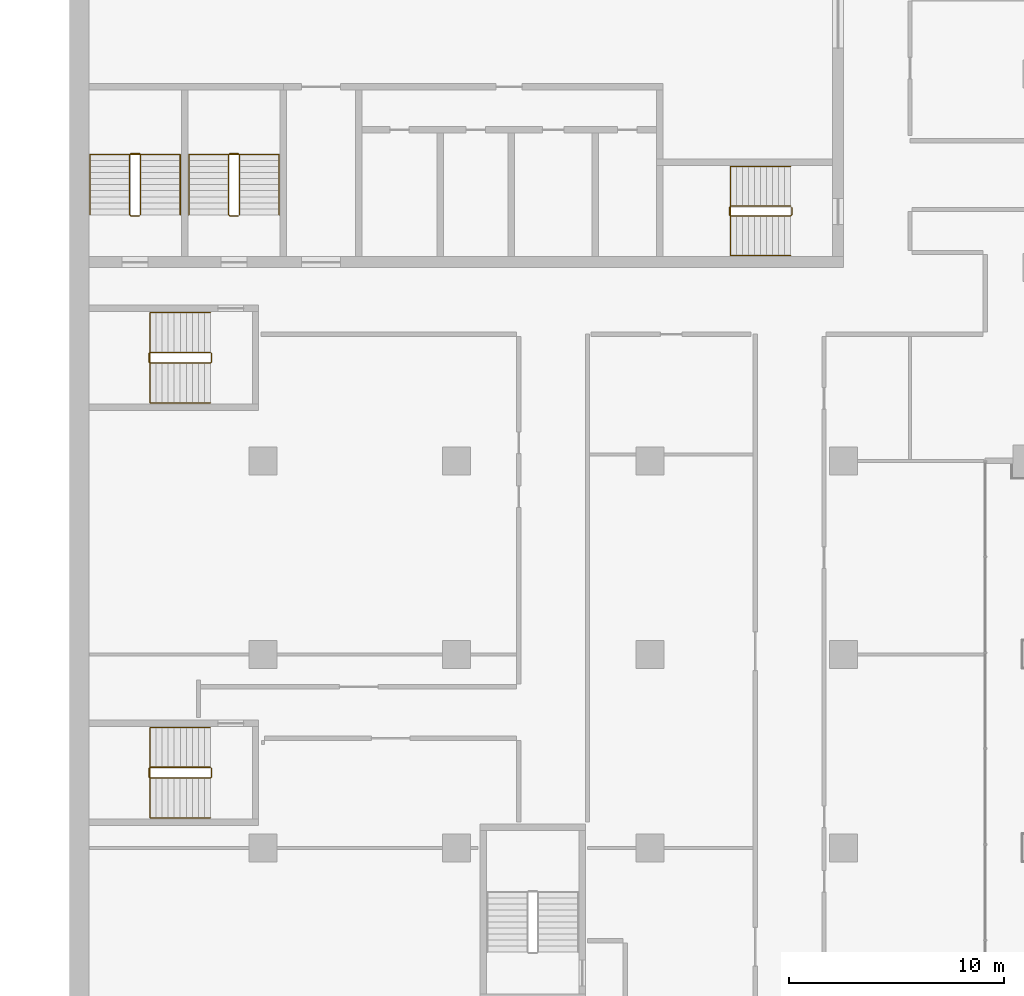
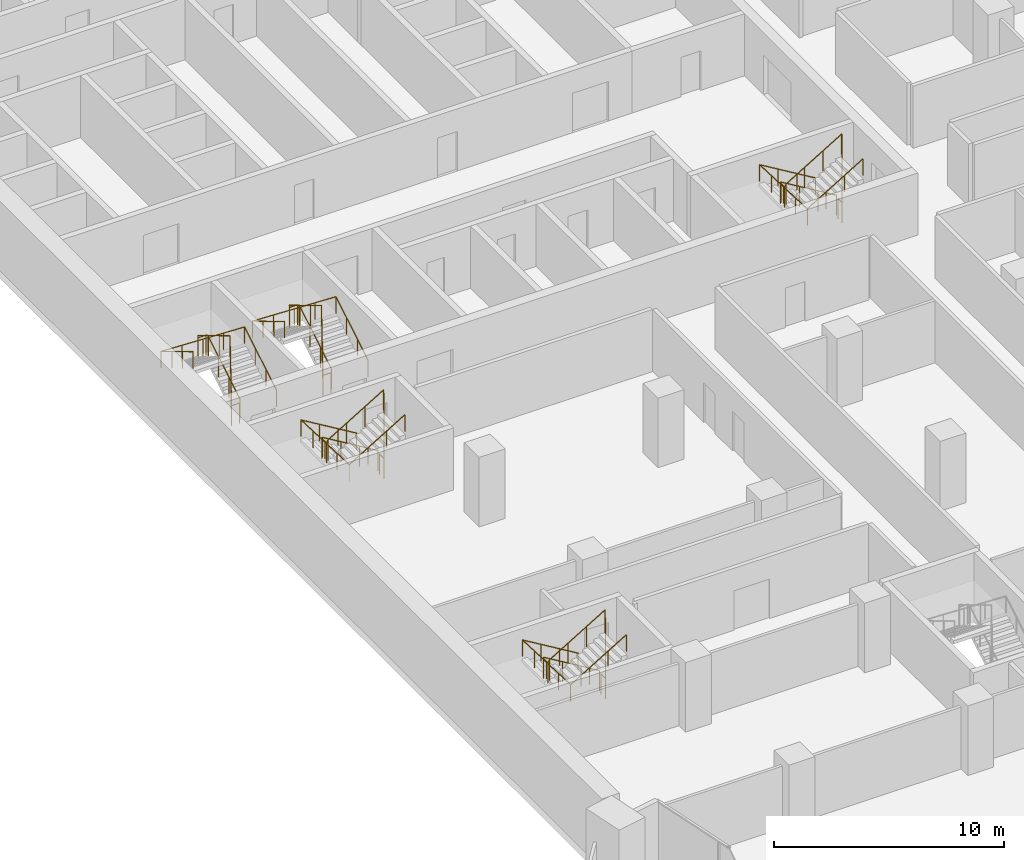
# One storey, part 21 of 23: 10 railings.
"""IFC4 building model written with IfcOpenShell, lengths in metres."""

import ifcopenshell
import ifcopenshell.guid

model = None  # the IFC model being written
_history = None  # IfcOwnerHistory: only IFC2X3 demands one
_inside = {}  # id of a spatial element -> (the spatial element, [elements in it])
_under = {}  # id of a project, library or spatial element -> (it, [spatial elements below it])
_declared = {}  # id of a project -> (the project, [libraries it declares])
_typed = {}  # id of a type object -> (the type object, [elements of that type])
_made_of = {}  # id of a material, layer set ... -> (it, [elements and type objects made of it])


def new_model(schema):
    """Start an empty IFC model of exactly this schema.

    Asked for "IFC4X3", IfcOpenShell would pick the latest addendum, in which some entities
    have other attributes; the version numbers below select the first issue.
    IFC2X3 requires an IfcOwnerHistory on every rooted entity: one is made here for all.
    """
    global model, _history
    if schema == "IFC4X3":
        model = ifcopenshell.file(schema_version=(4, 3, 0, 0))
    else:
        model = ifcopenshell.file(schema=schema)
    _inside.clear()
    _under.clear()
    _declared.clear()
    _typed.clear()
    _made_of.clear()
    _history = None
    if model.schema == "IFC2X3":
        org = make("IfcOrganization", Name="unknown")
        user = make(
            "IfcPersonAndOrganization",
            ThePerson=make("IfcPerson", FamilyName="unknown"),
            TheOrganization=org,
        )
        app = make(
            "IfcApplication",
            ApplicationDeveloper=org,
            Version="unknown",
            ApplicationFullName="unknown",
            ApplicationIdentifier="unknown",
        )
        _history = make(
            "IfcOwnerHistory",
            OwningUser=user,
            OwningApplication=app,
            ChangeAction="ADDED",
            CreationDate=0,
        )
    return model


def make(cls, **values):
    """One entity of the class cls with the attributes given. An attribute that is None is left unset."""
    return model.create_entity(
        cls, **{name: value for name, value in values.items() if value is not None}
    )


def rooted(cls, **values):
    """An entity with a GlobalId (a new one), such as an element, a storey or a relation."""
    return make(cls, GlobalId=ifcopenshell.guid.new(), OwnerHistory=_history, **values)


def si_unit(unit_type, name, prefix=None):
    """IfcSIUnit, for example si_unit("LENGTHUNIT", "METRE", prefix="MILLI")."""
    return make("IfcSIUnit", UnitType=unit_type, Prefix=prefix, Name=name)


def assignment(units):
    """IfcUnitAssignment: the units of a project."""
    return None if units is None else make("IfcUnitAssignment", Units=units)


def point(xyz):
    """IfcCartesianPoint."""
    return None if xyz is None else make("IfcCartesianPoint", Coordinates=xyz)


def direction(xyz):
    """IfcDirection."""
    return None if xyz is None else make("IfcDirection", DirectionRatios=xyz)


def frame(location, z_axis=None, x_axis=None):
    """IfcAxis2Placement3D, a coordinate frame: its origin and axes. An axis left out is left unset."""
    return make(
        "IfcAxis2Placement3D",
        Location=point(location),
        Axis=direction(z_axis),
        RefDirection=direction(x_axis),
    )


def frame_2d(location, x_axis=None):
    """IfcAxis2Placement2D, a coordinate frame in the plane: its origin and x axis."""
    return make(
        "IfcAxis2Placement2D", Location=point(location), RefDirection=direction(x_axis)
    )


def origin():
    """The frame at (0, 0, 0) with its axes left unset."""
    return frame((0.0, 0.0, 0.0))


def origin_2d():
    """The frame at (0, 0) in the plane with its x axis left unset."""
    return frame_2d((0.0, 0.0))


def place(relative_to, where):
    """IfcLocalPlacement: puts the frame where relative to a parent placement (None: the world)."""
    return make(
        "IfcLocalPlacement", PlacementRelTo=relative_to, RelativePlacement=where
    )


def context(
    kind, dimensions, precision=None, world=None, true_north=None, identifier=None
):
    """IfcGeometricRepresentationContext, for example the 3D "Model" context."""
    return make(
        "IfcGeometricRepresentationContext",
        ContextIdentifier=identifier,
        ContextType=kind,
        CoordinateSpaceDimension=dimensions,
        Precision=precision,
        WorldCoordinateSystem=world,
        TrueNorth=true_north,
    )


def subcontext(parent, identifier, kind, view, scale=None):
    """IfcGeometricRepresentationSubContext, for example "Body" below "Model"."""
    return make(
        "IfcGeometricRepresentationSubContext",
        ContextIdentifier=identifier,
        ContextType=kind,
        ParentContext=parent,
        TargetScale=scale,
        TargetView=view,
    )


def project(units=None, contexts=None):
    """IfcProject with its units and contexts."""
    return rooted(
        "IfcProject",
        Name="project",
        RepresentationContexts=contexts,
        UnitsInContext=assignment(units),
    )


def spatial(cls, under=None, at=None, **own):
    """A site, building, storey or space (cls), placed at a placement, below another one or the project."""
    s = rooted(cls, ObjectPlacement=at, **own)
    if under is not None:
        _under.setdefault(under.id(), (under, []))[1].append(s)
    return s


def profile(cls, at=None, kind="AREA", **sizes):
    """A parametric profile (cls). Its sizes go by their IFC names, for example OverallWidth=200.0."""
    return make(cls, ProfileType=kind, Position=at, **sizes)


def circle(**sizes):
    """IfcCircleProfileDef."""
    return profile("IfcCircleProfileDef", **sizes)


def extrude(swept, where, along, depth):
    """IfcExtrudedAreaSolid: the profile swept, set in the frame where, extruded along a direction by depth."""
    return make(
        "IfcExtrudedAreaSolid",
        SweptArea=swept,
        Position=where,
        ExtrudedDirection=direction(along),
        Depth=depth,
    )


def shape(context_of_items, identifier, shape_type, items):
    """IfcShapeRepresentation: the items that make up one representation, for example the "Body"."""
    return make(
        "IfcShapeRepresentation",
        ContextOfItems=context_of_items,
        RepresentationIdentifier=identifier,
        RepresentationType=shape_type,
        Items=items,
    )


def material(Name=None, Category=None):
    """IfcMaterial."""
    return make("IfcMaterial", Name=Name, Category=Category)


def made_of(thing, what):
    """Note that an element or type object is made of a material, layer set ...; save() writes the relation."""
    if what is not None:
        _made_of.setdefault(what.id(), (what, []))[1].append(thing)
    return thing


def type_object(cls, material=None, **own):
    """A type object (cls), such as IfcWallType, which elements share."""
    return made_of(rooted(cls, **own), material)


def element(
    cls,
    number,
    at=None,
    inside=None,
    cuts=None,
    type_object=None,
    material=None,
    context=None,
    identifier="Body",
    shape_type=None,
    held_by="IfcProductDefinitionShape",
    body=None,
    shapes=None,
    **own,
):
    """One element of the class cls, such as IfcWall. Its Tag is "e" and its number.

    at: its placement. inside: the storey or other place that contains it. cuts: it is an
    opening in that element (IfcRelVoidsElement). A single representation is given by context,
    identifier, shape_type and body (its items); several are given by shapes. held_by: the class
    of the entity that holds the representations. save() writes the other relations.
    """
    e = rooted(cls, Tag="e%d" % number, ObjectPlacement=at, **own)
    if body is not None:
        shapes = [shape(context, identifier, shape_type, body)]
    if shapes is not None:
        e.Representation = make(held_by, Representations=shapes)
    if inside is not None:
        _inside.setdefault(inside.id(), (inside, []))[1].append(e)
    if cuts is not None:
        rooted(
            "IfcRelVoidsElement", RelatingBuildingElement=cuts, RelatedOpeningElement=e
        )
    if type_object is not None:
        _typed.setdefault(type_object.id(), (type_object, []))[1].append(e)
    return made_of(e, material)


def aggregate(whole, parts):
    """IfcRelAggregates: a whole, such as a stair, and the parts it consists of."""
    return rooted("IfcRelAggregates", RelatingObject=whole, RelatedObjects=parts)


def save(model, path):
    """Write the relations noted so far, then the file.

    IfcRelAggregates (storeys below a building ...), IfcRelContainedInSpatialStructure (elements
    in a storey), IfcRelDefinesByType, IfcRelAssociatesMaterial and IfcRelDeclares: one each for
    every whole, place, type object, material and project.
    """
    for whole, parts in _under.values():
        aggregate(whole, parts)
    for where, things in _inside.values():
        rooted(
            "IfcRelContainedInSpatialStructure",
            RelatedElements=things,
            RelatingStructure=where,
        )
    for kind, things in _typed.values():
        rooted("IfcRelDefinesByType", RelatedObjects=things, RelatingType=kind)
    for what, things in _made_of.values():
        rooted("IfcRelAssociatesMaterial", RelatedObjects=things, RelatingMaterial=what)
    for by, libraries in _declared.values():
        rooted("IfcRelDeclares", RelatingContext=by, RelatedDefinitions=libraries)
    model.write(path)


model = new_model("IFC4")

# Units and contexts
model_context = context("Model", 3, precision=1e-05, world=origin(), true_north=direction((0.0, 1.0)))
body_context = subcontext(model_context, "Body", "Model", "MODEL_VIEW")
ifc_project = project(units=[si_unit("LENGTHUNIT", "METRE"), si_unit("AREAUNIT", "SQUARE_METRE"), si_unit("VOLUMEUNIT", "CUBIC_METRE"), si_unit("PLANEANGLEUNIT", "RADIAN"), si_unit("MASSUNIT", "GRAM", prefix="KILO")], contexts=[model_context])

# Site, building, storey
site_placement = place(None, origin())
site = spatial("IfcSite", under=ifc_project, at=site_placement, CompositionType="ELEMENT")
building_placement = place(site_placement, origin())
building = spatial("IfcBuilding", under=site, at=building_placement, Name="Hunhe Ridgeline Campus", CompositionType="ELEMENT")
storey_placement = place(building_placement, frame((0.0, 0.0, 103.300048828125)))
storey = spatial("IfcBuildingStorey", under=building, at=storey_placement, Name="L25", CompositionType="ELEMENT", Elevation=103.300048828125)

# Railings
ifc_material_1 = material(Name="Stainless steel balustrade", Category="steel")
railing_type_1 = type_object("IfcRailingType", Name="Stair guard 1100 stainless", PredefinedType="GUARDRAIL", material=ifc_material_1)
railing_1_placement = place(storey_placement, frame((33.550048828125, 65.85009765625, 0.168212890625)))
element("IfcRailing", 1, at=railing_1_placement, inside=storey, type_object=railing_type_1, Name="L25 stair S2 guard", PredefinedType="GUARDRAIL", context=body_context, shape_type="SweptSolid", body=[
    extrude(circle(Radius=0.02392578125, at=origin_2d()), frame((0.0, 0.0, 1.076171875), z_axis=(-0.857275202839, 0.0, 0.514858452973), x_axis=(0.0, -1.0, 0.0)), (0.0, 0.0, 1.0), 3.26611328125),
    extrude(circle(Radius=0.02392578125, at=origin_2d()), frame((-2.800048828125, 0.0, 2.7578125), z_axis=(-0.707106781187, -0.707106781187, 0.0), x_axis=(0.707106781187, -0.707106781187, 0.0)), (0.0, 0.0, 1.0), 0.07080078125),
    extrude(circle(Radius=0.02392578125, at=origin_2d()), frame((-2.85009765625, -0.050048828125, 2.7578125), z_axis=(0.0, -1.0, 0.0), x_axis=(1.0, 0.0, 0.0)), (0.0, 0.0, 1.0), 0.35009765625),
    extrude(circle(Radius=0.02392578125, at=origin_2d()), frame((-2.85009765625, -0.400146484375, 2.7578125), z_axis=(0.274243871929, -0.274243871929, 0.92172696468), x_axis=(0.707106781187, 0.707106781187, 0.0)), (0.0, 0.0, 1.0), 0.1826171875),
    extrude(circle(Radius=0.02392578125, at=origin_2d()), frame((-2.800048828125, -0.4501953125, 2.92578125), z_axis=(0.857242210791, 0.0, 0.514913383045), x_axis=(0.0, 1.0, 0.0)), (0.0, 0.0, 1.0), 3.266357421875),
    extrude(circle(Radius=0.02392578125, at=origin_2d()), frame((0.0, -0.4501953125, 4.60791015625), z_axis=(0.013524414389, 0.013524414389, -0.999817073484), x_axis=(-0.707106781187, 0.707106781187, 0.0)), (0.0, 0.0, 1.0), 3.70068359375),
    extrude(circle(Radius=0.02392578125, at=origin_2d()), frame((0.050048828125, -0.400146484375, 0.90771484375), z_axis=(0.0, 1.0, 0.0), x_axis=(-1.0, 0.0, 0.0)), (0.0, 0.0, 1.0), 0.35009765625),
    extrude(circle(Radius=0.02099609375, at=origin_2d()), origin(), (0.0, 0.0, 1.0), 1.052001953125),
    extrude(circle(Radius=0.02099609375, at=origin_2d()), frame((-0.933349609375, 0.0, 0.560546875)), (0.0, 0.0, 1.0), 1.052001953125),
    extrude(circle(Radius=0.02099609375, at=origin_2d()), frame((-1.86669921875, 0.0, 1.12109375)), (0.0, 0.0, 1.0), 1.052001953125),
    extrude(circle(Radius=0.02099609375, at=origin_2d()), frame((-2.800048828125, 0.0, 1.681640625)), (0.0, 0.0, 1.0), 1.052001953125),
    extrude(circle(Radius=0.02099609375, at=origin_2d()), frame((-2.85009765625, -0.050048828125, 1.681640625)), (0.0, 0.0, 1.0), 1.052001953125),
    extrude(circle(Radius=0.02099609375, at=origin_2d()), frame((-2.85009765625, -0.400146484375, 1.681640625)), (0.0, 0.0, 1.0), 1.052001953125),
    extrude(circle(Radius=0.02099609375, at=origin_2d()), frame((-2.800048828125, -0.4501953125, 1.849853515625)), (0.0, 0.0, 1.0), 1.052001953125),
    extrude(circle(Radius=0.02099609375, at=origin_2d()), frame((-1.86669921875, -0.4501953125, 2.410400390625)), (0.0, 0.0, 1.0), 1.052001953125),
    extrude(circle(Radius=0.02099609375, at=origin_2d()), frame((-0.933349609375, -0.4501953125, 2.97119140625)), (0.0, 0.0, 1.0), 1.052001953125),
    extrude(circle(Radius=0.02099609375, at=origin_2d()), frame((0.0, -0.4501953125, 3.53173828125)), (0.0, 0.0, 1.0), 1.052001953125),
    extrude(circle(Radius=0.02099609375, at=origin_2d()), frame((0.012451171875, -0.437744140625, 2.606689453125)), (0.0, 0.0, 1.0), 1.052001953125),
    extrude(circle(Radius=0.02099609375, at=origin_2d()), frame((0.02490234375, -0.42529296875, 1.681640625)), (0.0, 0.0, 1.0), 1.052001953125),
    extrude(circle(Radius=0.02099609375, at=origin_2d()), frame((0.03759765625, -0.41259765625, 0.7568359375)), (0.0, 0.0, 1.0), 1.052001953125),
    extrude(circle(Radius=0.02099609375, at=origin_2d()), frame((0.050048828125, -0.400146484375, -0.168212890625)), (0.0, 0.0, 1.0), 1.052001953125),
    extrude(circle(Radius=0.02099609375, at=origin_2d()), frame((0.050048828125, -0.050048828125, -0.168212890625)), (0.0, 0.0, 1.0), 1.052001953125),
])
railing_2_placement = place(storey_placement, frame((3.300048828125, 65.449951171875, 0.168212890625)))
element("IfcRailing", 2, at=railing_2_placement, inside=storey, type_object=railing_type_1, Name="L25 stair S3 guard", PredefinedType="GUARDRAIL", context=body_context, shape_type="SweptSolid", body=[
    extrude(circle(Radius=0.02392578125, at=origin_2d()), frame((0.0, 0.0, 1.076171875), z_axis=(0.0, 0.857275202839, 0.514858452973), x_axis=(-1.0, 0.0, 0.0)), (0.0, 0.0, 1.0), 3.26611328125),
    extrude(circle(Radius=0.02392578125, at=origin_2d()), frame((0.0, 2.800048828125, 2.7578125), z_axis=(-0.707106781187, 0.707106781187, 0.0), x_axis=(-0.707106781187, -0.707106781187, 0.0)), (0.0, 0.0, 1.0), 0.07080078125),
    extrude(circle(Radius=0.02392578125, at=origin_2d()), frame((-0.050048828125, 2.85009765625, 2.7578125), z_axis=(-1.0, 0.0, 0.0), x_axis=(0.0, -1.0, 0.0)), (0.0, 0.0, 1.0), 0.39990234375),
    extrude(circle(Radius=0.02392578125, at=origin_2d()), frame((-0.449951171875, 2.85009765625, 2.7578125), z_axis=(-0.274243871929, -0.274243871929, 0.92172696468), x_axis=(0.707106781187, -0.707106781187, 0.0)), (0.0, 0.0, 1.0), 0.1826171875),
    extrude(circle(Radius=0.02392578125, at=origin_2d()), frame((-0.5, 2.800048828125, 2.92578125), z_axis=(0.0, -0.857242210791, 0.514913383045), x_axis=(1.0, 0.0, 0.0)), (0.0, 0.0, 1.0), 3.266357421875),
    extrude(circle(Radius=0.02392578125, at=origin_2d()), frame((-0.5, 0.0, 4.60791015625), z_axis=(0.013524414389, -0.013524414389, -0.999817073484), x_axis=(0.707106781187, 0.707106781187, 0.0)), (0.0, 0.0, 1.0), 3.70068359375),
    extrude(circle(Radius=0.02392578125, at=origin_2d()), frame((-0.449951171875, -0.050048828125, 0.90771484375), z_axis=(1.0, 0.0, 0.0), x_axis=(0.0, 1.0, 0.0)), (0.0, 0.0, 1.0), 0.39990234375),
    extrude(circle(Radius=0.02099609375, at=origin_2d()), origin(), (0.0, 0.0, 1.0), 1.052001953125),
    extrude(circle(Radius=0.02099609375, at=origin_2d()), frame((0.0, 0.933349609375, 0.560546875)), (0.0, 0.0, 1.0), 1.052001953125),
    extrude(circle(Radius=0.02099609375, at=origin_2d()), frame((0.0, 1.86669921875, 1.12109375)), (0.0, 0.0, 1.0), 1.052001953125),
    extrude(circle(Radius=0.02099609375, at=origin_2d()), frame((0.0, 2.800048828125, 1.681640625)), (0.0, 0.0, 1.0), 1.052001953125),
    extrude(circle(Radius=0.02099609375, at=origin_2d()), frame((-0.050048828125, 2.85009765625, 1.681640625)), (0.0, 0.0, 1.0), 1.052001953125),
    extrude(circle(Radius=0.02099609375, at=origin_2d()), frame((-0.449951171875, 2.85009765625, 1.681640625)), (0.0, 0.0, 1.0), 1.052001953125),
    extrude(circle(Radius=0.02099609375, at=origin_2d()), frame((-0.5, 2.800048828125, 1.849853515625)), (0.0, 0.0, 1.0), 1.052001953125),
    extrude(circle(Radius=0.02099609375, at=origin_2d()), frame((-0.5, 1.86669921875, 2.410400390625)), (0.0, 0.0, 1.0), 1.052001953125),
    extrude(circle(Radius=0.02099609375, at=origin_2d()), frame((-0.5, 0.933349609375, 2.97119140625)), (0.0, 0.0, 1.0), 1.052001953125),
    extrude(circle(Radius=0.02099609375, at=origin_2d()), frame((-0.5, 0.0, 3.53173828125)), (0.0, 0.0, 1.0), 1.052001953125),
    extrude(circle(Radius=0.02099609375, at=origin_2d()), frame((-0.487548828125, -0.012451171875, 2.606689453125)), (0.0, 0.0, 1.0), 1.052001953125),
    extrude(circle(Radius=0.02099609375, at=origin_2d()), frame((-0.47509765625, -0.02490234375, 1.681640625)), (0.0, 0.0, 1.0), 1.052001953125),
    extrude(circle(Radius=0.02099609375, at=origin_2d()), frame((-0.46240234375, -0.03759765625, 0.7568359375)), (0.0, 0.0, 1.0), 1.052001953125),
    extrude(circle(Radius=0.02099609375, at=origin_2d()), frame((-0.449951171875, -0.050048828125, -0.168212890625)), (0.0, 0.0, 1.0), 1.052001953125),
    extrude(circle(Radius=0.02099609375, at=origin_2d()), frame((-0.050048828125, -0.050048828125, -0.168212890625)), (0.0, 0.0, 1.0), 1.052001953125),
])
railing_3_placement = place(storey_placement, frame((7.89990234375, 65.449951171875, 0.168212890625)))
element("IfcRailing", 3, at=railing_3_placement, inside=storey, type_object=railing_type_1, Name="L25 stair S4 guard", PredefinedType="GUARDRAIL", context=body_context, shape_type="SweptSolid", body=[
    extrude(circle(Radius=0.02392578125, at=origin_2d()), frame((0.0, 0.0, 1.076171875), z_axis=(0.0, 0.857275202839, 0.514858452973), x_axis=(-1.0, 0.0, 0.0)), (0.0, 0.0, 1.0), 3.26611328125),
    extrude(circle(Radius=0.02392578125, at=origin_2d()), frame((0.0, 2.800048828125, 2.7578125), z_axis=(-0.705375805398, 0.708833529934, 0.0), x_axis=(-0.708833529934, -0.705375805398, 0.0)), (0.0, 0.0, 1.0), 0.070556640625),
    extrude(circle(Radius=0.02392578125, at=origin_2d()), frame((-0.0498046875, 2.85009765625, 2.7578125), z_axis=(-1.0, 0.0, 0.0), x_axis=(0.0, -1.0, 0.0)), (0.0, 0.0, 1.0), 0.400146484375),
    extrude(circle(Radius=0.02392578125, at=origin_2d()), frame((-0.449951171875, 2.85009765625, 2.7578125), z_axis=(-0.274243871929, -0.274243871929, 0.92172696468), x_axis=(0.707106781187, -0.707106781187, 0.0)), (0.0, 0.0, 1.0), 0.1826171875),
    extrude(circle(Radius=0.02392578125, at=origin_2d()), frame((-0.5, 2.800048828125, 2.92578125), z_axis=(0.0, -0.857242210791, 0.514913383045), x_axis=(1.0, 0.0, 0.0)), (0.0, 0.0, 1.0), 3.266357421875),
    extrude(circle(Radius=0.02392578125, at=origin_2d()), frame((-0.5, 0.0, 4.60791015625), z_axis=(0.013524414389, -0.013524414389, -0.999817073484), x_axis=(0.707106781187, 0.707106781187, 0.0)), (0.0, 0.0, 1.0), 3.70068359375),
    extrude(circle(Radius=0.02392578125, at=origin_2d()), frame((-0.449951171875, -0.050048828125, 0.90771484375), z_axis=(1.0, 0.0, 0.0), x_axis=(0.0, 1.0, 0.0)), (0.0, 0.0, 1.0), 0.400146484375),
    extrude(circle(Radius=0.02099609375, at=origin_2d()), origin(), (0.0, 0.0, 1.0), 1.052001953125),
    extrude(circle(Radius=0.02099609375, at=origin_2d()), frame((0.0, 0.933349609375, 0.560546875)), (0.0, 0.0, 1.0), 1.052001953125),
    extrude(circle(Radius=0.02099609375, at=origin_2d()), frame((0.0, 1.86669921875, 1.12109375)), (0.0, 0.0, 1.0), 1.052001953125),
    extrude(circle(Radius=0.02099609375, at=origin_2d()), frame((0.0, 2.800048828125, 1.681640625)), (0.0, 0.0, 1.0), 1.052001953125),
    extrude(circle(Radius=0.02099609375, at=origin_2d()), frame((-0.0498046875, 2.85009765625, 1.681640625)), (0.0, 0.0, 1.0), 1.052001953125),
    extrude(circle(Radius=0.02099609375, at=origin_2d()), frame((-0.449951171875, 2.85009765625, 1.681640625)), (0.0, 0.0, 1.0), 1.052001953125),
    extrude(circle(Radius=0.02099609375, at=origin_2d()), frame((-0.5, 2.800048828125, 1.849853515625)), (0.0, 0.0, 1.0), 1.052001953125),
    extrude(circle(Radius=0.02099609375, at=origin_2d()), frame((-0.5, 1.86669921875, 2.410400390625)), (0.0, 0.0, 1.0), 1.052001953125),
    extrude(circle(Radius=0.02099609375, at=origin_2d()), frame((-0.5, 0.933349609375, 2.97119140625)), (0.0, 0.0, 1.0), 1.052001953125),
    extrude(circle(Radius=0.02099609375, at=origin_2d()), frame((-0.5, 0.0, 3.53173828125)), (0.0, 0.0, 1.0), 1.052001953125),
    extrude(circle(Radius=0.02099609375, at=origin_2d()), frame((-0.487548828125, -0.012451171875, 2.606689453125)), (0.0, 0.0, 1.0), 1.052001953125),
    extrude(circle(Radius=0.02099609375, at=origin_2d()), frame((-0.47509765625, -0.02490234375, 1.681640625)), (0.0, 0.0, 1.0), 1.052001953125),
    extrude(circle(Radius=0.02099609375, at=origin_2d()), frame((-0.46240234375, -0.03759765625, 0.7568359375)), (0.0, 0.0, 1.0), 1.052001953125),
    extrude(circle(Radius=0.02099609375, at=origin_2d()), frame((-0.449951171875, -0.050048828125, -0.168212890625)), (0.0, 0.0, 1.0), 1.052001953125),
    extrude(circle(Radius=0.02099609375, at=origin_2d()), frame((-0.0498046875, -0.050048828125, -0.168212890625)), (0.0, 0.0, 1.0), 1.052001953125),
])
railing_4_placement = place(storey_placement, frame((6.550048828125, 39.75, 0.168212890625)))
element("IfcRailing", 4, at=railing_4_placement, inside=storey, type_object=railing_type_1, Name="L25 stair W1 guard", PredefinedType="GUARDRAIL", context=body_context, shape_type="SweptSolid", body=[
    extrude(circle(Radius=0.02392578125, at=origin_2d()), frame((0.0, 0.0, 1.076171875), z_axis=(-0.857275202839, 0.0, 0.514858452973), x_axis=(0.0, -1.0, 0.0)), (0.0, 0.0, 1.0), 3.26611328125),
    extrude(circle(Radius=0.02392578125, at=origin_2d()), frame((-2.800048828125, 0.0, 2.7578125), z_axis=(-0.707106781187, -0.707106781187, 0.0), x_axis=(0.707106781187, -0.707106781187, 0.0)), (0.0, 0.0, 1.0), 0.07080078125),
    extrude(circle(Radius=0.02392578125, at=origin_2d()), frame((-2.85009765625, -0.050048828125, 2.7578125), z_axis=(0.0, -1.0, 0.0), x_axis=(1.0, 0.0, 0.0)), (0.0, 0.0, 1.0), 0.39990234375),
    extrude(circle(Radius=0.02392578125, at=origin_2d()), frame((-2.85009765625, -0.449951171875, 2.7578125), z_axis=(0.274243871929, -0.274243871929, 0.92172696468), x_axis=(0.707106781187, 0.707106781187, 0.0)), (0.0, 0.0, 1.0), 0.1826171875),
    extrude(circle(Radius=0.02392578125, at=origin_2d()), frame((-2.800048828125, -0.5, 2.92578125), z_axis=(0.857242210791, 0.0, 0.514913383045), x_axis=(0.0, 1.0, 0.0)), (0.0, 0.0, 1.0), 3.266357421875),
    extrude(circle(Radius=0.02392578125, at=origin_2d()), frame((0.0, -0.5, 4.60791015625), z_axis=(0.013524414389, 0.013524414389, -0.999817073484), x_axis=(-0.707106781187, 0.707106781187, 0.0)), (0.0, 0.0, 1.0), 3.70068359375),
    extrude(circle(Radius=0.02392578125, at=origin_2d()), frame((0.050048828125, -0.449951171875, 0.90771484375), z_axis=(0.0, 1.0, 0.0), x_axis=(-1.0, 0.0, 0.0)), (0.0, 0.0, 1.0), 0.39990234375),
    extrude(circle(Radius=0.02099609375, at=origin_2d()), origin(), (0.0, 0.0, 1.0), 1.052001953125),
    extrude(circle(Radius=0.02099609375, at=origin_2d()), frame((-0.933349609375, 0.0, 0.560546875)), (0.0, 0.0, 1.0), 1.052001953125),
    extrude(circle(Radius=0.02099609375, at=origin_2d()), frame((-1.86669921875, 0.0, 1.12109375)), (0.0, 0.0, 1.0), 1.052001953125),
    extrude(circle(Radius=0.02099609375, at=origin_2d()), frame((-2.800048828125, 0.0, 1.681640625)), (0.0, 0.0, 1.0), 1.052001953125),
    extrude(circle(Radius=0.02099609375, at=origin_2d()), frame((-2.85009765625, -0.050048828125, 1.681640625)), (0.0, 0.0, 1.0), 1.052001953125),
    extrude(circle(Radius=0.02099609375, at=origin_2d()), frame((-2.85009765625, -0.449951171875, 1.681640625)), (0.0, 0.0, 1.0), 1.052001953125),
    extrude(circle(Radius=0.02099609375, at=origin_2d()), frame((-2.800048828125, -0.5, 1.849853515625)), (0.0, 0.0, 1.0), 1.052001953125),
    extrude(circle(Radius=0.02099609375, at=origin_2d()), frame((-1.86669921875, -0.5, 2.410400390625)), (0.0, 0.0, 1.0), 1.052001953125),
    extrude(circle(Radius=0.02099609375, at=origin_2d()), frame((-0.933349609375, -0.5, 2.97119140625)), (0.0, 0.0, 1.0), 1.052001953125),
    extrude(circle(Radius=0.02099609375, at=origin_2d()), frame((0.0, -0.5, 3.53173828125)), (0.0, 0.0, 1.0), 1.052001953125),
    extrude(circle(Radius=0.02099609375, at=origin_2d()), frame((0.012451171875, -0.487548828125, 2.606689453125)), (0.0, 0.0, 1.0), 1.052001953125),
    extrude(circle(Radius=0.02099609375, at=origin_2d()), frame((0.02490234375, -0.47509765625, 1.681640625)), (0.0, 0.0, 1.0), 1.052001953125),
    extrude(circle(Radius=0.02099609375, at=origin_2d()), frame((0.03759765625, -0.46240234375, 0.7568359375)), (0.0, 0.0, 1.0), 1.052001953125),
    extrude(circle(Radius=0.02099609375, at=origin_2d()), frame((0.050048828125, -0.449951171875, -0.168212890625)), (0.0, 0.0, 1.0), 1.052001953125),
    extrude(circle(Radius=0.02099609375, at=origin_2d()), frame((0.050048828125, -0.050048828125, -0.168212890625)), (0.0, 0.0, 1.0), 1.052001953125),
])
railing_5_placement = place(storey_placement, frame((6.550048828125, 59.050048828125, 0.168212890625)))
element("IfcRailing", 5, at=railing_5_placement, inside=storey, type_object=railing_type_1, Name="L25 stair W2 guard", PredefinedType="GUARDRAIL", context=body_context, shape_type="SweptSolid", body=[
    extrude(circle(Radius=0.02392578125, at=origin_2d()), frame((0.0, 0.0, 1.076171875), z_axis=(-0.857275202839, 0.0, 0.514858452973), x_axis=(0.0, -1.0, 0.0)), (0.0, 0.0, 1.0), 3.26611328125),
    extrude(circle(Radius=0.02392578125, at=origin_2d()), frame((-2.800048828125, 0.0, 2.7578125), z_axis=(-0.707106781187, -0.707106781187, 0.0), x_axis=(0.707106781187, -0.707106781187, 0.0)), (0.0, 0.0, 1.0), 0.07080078125),
    extrude(circle(Radius=0.02392578125, at=origin_2d()), frame((-2.85009765625, -0.050048828125, 2.7578125), z_axis=(0.0, -1.0, 0.0), x_axis=(1.0, 0.0, 0.0)), (0.0, 0.0, 1.0), 0.39990234375),
    extrude(circle(Radius=0.02392578125, at=origin_2d()), frame((-2.85009765625, -0.449951171875, 2.7578125), z_axis=(0.274243871929, -0.274243871929, 0.92172696468), x_axis=(0.707106781187, 0.707106781187, 0.0)), (0.0, 0.0, 1.0), 0.1826171875),
    extrude(circle(Radius=0.02392578125, at=origin_2d()), frame((-2.800048828125, -0.5, 2.92578125), z_axis=(0.857242210791, 0.0, 0.514913383045), x_axis=(0.0, 1.0, 0.0)), (0.0, 0.0, 1.0), 3.266357421875),
    extrude(circle(Radius=0.02392578125, at=origin_2d()), frame((0.0, -0.5, 4.60791015625), z_axis=(0.013524414389, 0.013524414389, -0.999817073484), x_axis=(-0.707106781187, 0.707106781187, 0.0)), (0.0, 0.0, 1.0), 3.70068359375),
    extrude(circle(Radius=0.02392578125, at=origin_2d()), frame((0.050048828125, -0.449951171875, 0.90771484375), z_axis=(0.0, 1.0, 0.0), x_axis=(-1.0, 0.0, 0.0)), (0.0, 0.0, 1.0), 0.39990234375),
    extrude(circle(Radius=0.02099609375, at=origin_2d()), origin(), (0.0, 0.0, 1.0), 1.052001953125),
    extrude(circle(Radius=0.02099609375, at=origin_2d()), frame((-0.933349609375, 0.0, 0.560546875)), (0.0, 0.0, 1.0), 1.052001953125),
    extrude(circle(Radius=0.02099609375, at=origin_2d()), frame((-1.86669921875, 0.0, 1.12109375)), (0.0, 0.0, 1.0), 1.052001953125),
    extrude(circle(Radius=0.02099609375, at=origin_2d()), frame((-2.800048828125, 0.0, 1.681640625)), (0.0, 0.0, 1.0), 1.052001953125),
    extrude(circle(Radius=0.02099609375, at=origin_2d()), frame((-2.85009765625, -0.050048828125, 1.681640625)), (0.0, 0.0, 1.0), 1.052001953125),
    extrude(circle(Radius=0.02099609375, at=origin_2d()), frame((-2.85009765625, -0.449951171875, 1.681640625)), (0.0, 0.0, 1.0), 1.052001953125),
    extrude(circle(Radius=0.02099609375, at=origin_2d()), frame((-2.800048828125, -0.5, 1.849853515625)), (0.0, 0.0, 1.0), 1.052001953125),
    extrude(circle(Radius=0.02099609375, at=origin_2d()), frame((-1.86669921875, -0.5, 2.410400390625)), (0.0, 0.0, 1.0), 1.052001953125),
    extrude(circle(Radius=0.02099609375, at=origin_2d()), frame((-0.933349609375, -0.5, 2.97119140625)), (0.0, 0.0, 1.0), 1.052001953125),
    extrude(circle(Radius=0.02099609375, at=origin_2d()), frame((0.0, -0.5, 3.53173828125)), (0.0, 0.0, 1.0), 1.052001953125),
    extrude(circle(Radius=0.02099609375, at=origin_2d()), frame((0.012451171875, -0.487548828125, 2.606689453125)), (0.0, 0.0, 1.0), 1.052001953125),
    extrude(circle(Radius=0.02099609375, at=origin_2d()), frame((0.02490234375, -0.47509765625, 1.681640625)), (0.0, 0.0, 1.0), 1.052001953125),
    extrude(circle(Radius=0.02099609375, at=origin_2d()), frame((0.03759765625, -0.46240234375, 0.7568359375)), (0.0, 0.0, 1.0), 1.052001953125),
    extrude(circle(Radius=0.02099609375, at=origin_2d()), frame((0.050048828125, -0.449951171875, -0.168212890625)), (0.0, 0.0, 1.0), 1.052001953125),
    extrude(circle(Radius=0.02099609375, at=origin_2d()), frame((0.050048828125, -0.050048828125, -0.168212890625)), (0.0, 0.0, 1.0), 1.052001953125),
])
ifc_material_2 = material(Name="Stainless steel handrail", Category="steel")
railing_type_2 = type_object("IfcRailingType", Name="Stair handrail 900 stainless", PredefinedType="HANDRAIL", material=ifc_material_2)
railing_6_placement = place(storey_placement, frame((33.550048828125, 67.699951171875, 0.168212890625)))
element("IfcRailing", 6, at=railing_6_placement, inside=storey, type_object=railing_type_2, Name="L25 stair S2 handrail", PredefinedType="HANDRAIL", context=body_context, shape_type="SweptSolid", body=[
    extrude(circle(Radius=0.02392578125, at=origin_2d()), frame((0.0, 0.0, 0.8759765625), z_axis=(-0.857275202839, 0.0, 0.514858452973), x_axis=(0.0, -1.0, 0.0)), (0.0, 0.0, 1.0), 3.26611328125),
    extrude(circle(Radius=0.02392578125, at=origin_2d()), frame((-2.800048828125, 0.0, 2.5576171875), z_axis=(0.0, -0.99917950104, 0.040500922239), x_axis=(1.0, 0.0, 0.0)), (0.0, 0.0, 1.0), 4.1533203125),
    extrude(circle(Radius=0.02392578125, at=origin_2d()), frame((-2.800048828125, -4.14990234375, 2.7255859375), z_axis=(0.857242210791, 0.0, 0.514913383045), x_axis=(0.0, 1.0, 0.0)), (0.0, 0.0, 1.0), 3.266357421875),
    extrude(circle(Radius=0.02099609375, at=origin_2d()), origin(), (0.0, 0.0, 1.0), 0.851806640625),
    extrude(circle(Radius=0.02099609375, at=origin_2d()), frame((-0.933349609375, 0.0, 0.560546875)), (0.0, 0.0, 1.0), 0.851806640625),
    extrude(circle(Radius=0.02099609375, at=origin_2d()), frame((-1.86669921875, 0.0, 1.12109375)), (0.0, 0.0, 1.0), 0.851806640625),
    extrude(circle(Radius=0.02099609375, at=origin_2d()), frame((-2.800048828125, 0.0, 1.681640625)), (0.0, 0.0, 1.0), 0.851806640625),
    extrude(circle(Radius=0.02099609375, at=origin_2d()), frame((-2.800048828125, -1.03759765625, 1.7236328125)), (0.0, 0.0, 1.0), 0.851806640625),
    extrude(circle(Radius=0.02099609375, at=origin_2d()), frame((-2.800048828125, -2.074951171875, 1.765625)), (0.0, 0.0, 1.0), 0.851806640625),
    extrude(circle(Radius=0.02099609375, at=origin_2d()), frame((-2.800048828125, -3.1123046875, 1.807861328125)), (0.0, 0.0, 1.0), 0.851806640625),
    extrude(circle(Radius=0.02099609375, at=origin_2d()), frame((-2.800048828125, -4.14990234375, 1.849853515625)), (0.0, 0.0, 1.0), 0.851806640625),
    extrude(circle(Radius=0.02099609375, at=origin_2d()), frame((-1.86669921875, -4.14990234375, 2.410400390625)), (0.0, 0.0, 1.0), 0.851806640625),
    extrude(circle(Radius=0.02099609375, at=origin_2d()), frame((-0.933349609375, -4.14990234375, 2.97119140625)), (0.0, 0.0, 1.0), 0.851806640625),
    extrude(circle(Radius=0.02099609375, at=origin_2d()), frame((0.0, -4.14990234375, 3.53173828125)), (0.0, 0.0, 1.0), 0.851806640625),
])
railing_7_placement = place(storey_placement, frame((5.14990234375, 65.449951171875, 0.168212890625)))
element("IfcRailing", 7, at=railing_7_placement, inside=storey, type_object=railing_type_2, Name="L25 stair S3 handrail", PredefinedType="HANDRAIL", context=body_context, shape_type="SweptSolid", body=[
    extrude(circle(Radius=0.02392578125, at=origin_2d()), frame((0.0, 0.0, 0.8759765625), z_axis=(0.0, 0.857275202839, 0.514858452973), x_axis=(-1.0, 0.0, 0.0)), (0.0, 0.0, 1.0), 3.26611328125),
    extrude(circle(Radius=0.02392578125, at=origin_2d()), frame((0.0, 2.800048828125, 2.5576171875), z_axis=(-0.999198916169, 0.0, 0.040019069537), x_axis=(0.0, -1.0, 0.0)), (0.0, 0.0, 1.0), 4.203369140625),
    extrude(circle(Radius=0.02392578125, at=origin_2d()), frame((-4.199951171875, 2.800048828125, 2.7255859375), z_axis=(0.0, -0.857242210791, 0.514913383045), x_axis=(1.0, 0.0, 0.0)), (0.0, 0.0, 1.0), 3.266357421875),
    extrude(circle(Radius=0.02099609375, at=origin_2d()), origin(), (0.0, 0.0, 1.0), 0.851806640625),
    extrude(circle(Radius=0.02099609375, at=origin_2d()), frame((0.0, 0.933349609375, 0.560546875)), (0.0, 0.0, 1.0), 0.851806640625),
    extrude(circle(Radius=0.02099609375, at=origin_2d()), frame((0.0, 1.86669921875, 1.12109375)), (0.0, 0.0, 1.0), 0.851806640625),
    extrude(circle(Radius=0.02099609375, at=origin_2d()), frame((0.0, 2.800048828125, 1.681640625)), (0.0, 0.0, 1.0), 0.851806640625),
    extrude(circle(Radius=0.02099609375, at=origin_2d()), frame((-1.050048828125, 2.800048828125, 1.7236328125)), (0.0, 0.0, 1.0), 0.851806640625),
    extrude(circle(Radius=0.02099609375, at=origin_2d()), frame((-2.10009765625, 2.800048828125, 1.765625)), (0.0, 0.0, 1.0), 0.851806640625),
    extrude(circle(Radius=0.02099609375, at=origin_2d()), frame((-3.14990234375, 2.800048828125, 1.807861328125)), (0.0, 0.0, 1.0), 0.851806640625),
    extrude(circle(Radius=0.02099609375, at=origin_2d()), frame((-4.199951171875, 2.800048828125, 1.849853515625)), (0.0, 0.0, 1.0), 0.851806640625),
    extrude(circle(Radius=0.02099609375, at=origin_2d()), frame((-4.199951171875, 1.86669921875, 2.410400390625)), (0.0, 0.0, 1.0), 0.851806640625),
    extrude(circle(Radius=0.02099609375, at=origin_2d()), frame((-4.199951171875, 0.933349609375, 2.97119140625)), (0.0, 0.0, 1.0), 0.851806640625),
    extrude(circle(Radius=0.02099609375, at=origin_2d()), frame((-4.199951171875, 0.0, 3.53173828125)), (0.0, 0.0, 1.0), 0.851806640625),
])
railing_8_placement = place(storey_placement, frame((9.75, 65.449951171875, 0.168212890625)))
element("IfcRailing", 8, at=railing_8_placement, inside=storey, type_object=railing_type_2, Name="L25 stair S4 handrail", PredefinedType="HANDRAIL", context=body_context, shape_type="SweptSolid", body=[
    extrude(circle(Radius=0.02392578125, at=origin_2d()), frame((0.0, 0.0, 0.8759765625), z_axis=(0.0, 0.857275202839, 0.514858452973), x_axis=(-1.0, 0.0, 0.0)), (0.0, 0.0, 1.0), 3.26611328125),
    extrude(circle(Radius=0.02392578125, at=origin_2d()), frame((0.0, 2.800048828125, 2.5576171875), z_axis=(-0.999198916169, 0.0, 0.040019069537), x_axis=(0.0, -1.0, 0.0)), (0.0, 0.0, 1.0), 4.203369140625),
    extrude(circle(Radius=0.02392578125, at=origin_2d()), frame((-4.199951171875, 2.800048828125, 2.7255859375), z_axis=(0.0, -0.857242210791, 0.514913383045), x_axis=(1.0, 0.0, 0.0)), (0.0, 0.0, 1.0), 3.266357421875),
    extrude(circle(Radius=0.02099609375, at=origin_2d()), origin(), (0.0, 0.0, 1.0), 0.851806640625),
    extrude(circle(Radius=0.02099609375, at=origin_2d()), frame((0.0, 0.933349609375, 0.560546875)), (0.0, 0.0, 1.0), 0.851806640625),
    extrude(circle(Radius=0.02099609375, at=origin_2d()), frame((0.0, 1.86669921875, 1.12109375)), (0.0, 0.0, 1.0), 0.851806640625),
    extrude(circle(Radius=0.02099609375, at=origin_2d()), frame((0.0, 2.800048828125, 1.681640625)), (0.0, 0.0, 1.0), 0.851806640625),
    extrude(circle(Radius=0.02099609375, at=origin_2d()), frame((-1.050048828125, 2.800048828125, 1.7236328125)), (0.0, 0.0, 1.0), 0.851806640625),
    extrude(circle(Radius=0.02099609375, at=origin_2d()), frame((-2.10009765625, 2.800048828125, 1.765625)), (0.0, 0.0, 1.0), 0.851806640625),
    extrude(circle(Radius=0.02099609375, at=origin_2d()), frame((-3.14990234375, 2.800048828125, 1.807861328125)), (0.0, 0.0, 1.0), 0.851806640625),
    extrude(circle(Radius=0.02099609375, at=origin_2d()), frame((-4.199951171875, 2.800048828125, 1.849853515625)), (0.0, 0.0, 1.0), 0.851806640625),
    extrude(circle(Radius=0.02099609375, at=origin_2d()), frame((-4.199951171875, 1.86669921875, 2.410400390625)), (0.0, 0.0, 1.0), 0.851806640625),
    extrude(circle(Radius=0.02099609375, at=origin_2d()), frame((-4.199951171875, 0.933349609375, 2.97119140625)), (0.0, 0.0, 1.0), 0.851806640625),
    extrude(circle(Radius=0.02099609375, at=origin_2d()), frame((-4.199951171875, 0.0, 3.53173828125)), (0.0, 0.0, 1.0), 0.851806640625),
])
railing_9_placement = place(storey_placement, frame((6.550048828125, 41.60009765625, 0.168212890625)))
element("IfcRailing", 9, at=railing_9_placement, inside=storey, type_object=railing_type_2, Name="L25 stair W1 handrail", PredefinedType="HANDRAIL", context=body_context, shape_type="SweptSolid", body=[
    extrude(circle(Radius=0.02392578125, at=origin_2d()), frame((0.0, 0.0, 0.8759765625), z_axis=(-0.857275202839, 0.0, 0.514858452973), x_axis=(0.0, -1.0, 0.0)), (0.0, 0.0, 1.0), 3.26611328125),
    extrude(circle(Radius=0.02392578125, at=origin_2d()), frame((-2.800048828125, 0.0, 2.5576171875), z_axis=(0.0, -0.999199009182, 0.040016747113), x_axis=(1.0, 0.0, 0.0)), (0.0, 0.0, 1.0), 4.20361328125),
    extrude(circle(Radius=0.02392578125, at=origin_2d()), frame((-2.800048828125, -4.2001953125, 2.7255859375), z_axis=(0.857242210791, 0.0, 0.514913383045), x_axis=(0.0, 1.0, 0.0)), (0.0, 0.0, 1.0), 3.266357421875),
    extrude(circle(Radius=0.02099609375, at=origin_2d()), origin(), (0.0, 0.0, 1.0), 0.851806640625),
    extrude(circle(Radius=0.02099609375, at=origin_2d()), frame((-0.933349609375, 0.0, 0.560546875)), (0.0, 0.0, 1.0), 0.851806640625),
    extrude(circle(Radius=0.02099609375, at=origin_2d()), frame((-1.86669921875, 0.0, 1.12109375)), (0.0, 0.0, 1.0), 0.851806640625),
    extrude(circle(Radius=0.02099609375, at=origin_2d()), frame((-2.800048828125, 0.0, 1.681640625)), (0.0, 0.0, 1.0), 0.851806640625),
    extrude(circle(Radius=0.02099609375, at=origin_2d()), frame((-2.800048828125, -1.050048828125, 1.7236328125)), (0.0, 0.0, 1.0), 0.851806640625),
    extrude(circle(Radius=0.02099609375, at=origin_2d()), frame((-2.800048828125, -2.10009765625, 1.765625)), (0.0, 0.0, 1.0), 0.851806640625),
    extrude(circle(Radius=0.02099609375, at=origin_2d()), frame((-2.800048828125, -3.150146484375, 1.807861328125)), (0.0, 0.0, 1.0), 0.851806640625),
    extrude(circle(Radius=0.02099609375, at=origin_2d()), frame((-2.800048828125, -4.2001953125, 1.849853515625)), (0.0, 0.0, 1.0), 0.851806640625),
    extrude(circle(Radius=0.02099609375, at=origin_2d()), frame((-1.86669921875, -4.2001953125, 2.410400390625)), (0.0, 0.0, 1.0), 0.851806640625),
    extrude(circle(Radius=0.02099609375, at=origin_2d()), frame((-0.933349609375, -4.2001953125, 2.97119140625)), (0.0, 0.0, 1.0), 0.851806640625),
    extrude(circle(Radius=0.02099609375, at=origin_2d()), frame((0.0, -4.2001953125, 3.53173828125)), (0.0, 0.0, 1.0), 0.851806640625),
])
railing_10_placement = place(storey_placement, frame((6.550048828125, 60.89990234375, 0.168212890625)))
element("IfcRailing", 10, at=railing_10_placement, inside=storey, type_object=railing_type_2, Name="L25 stair W2 handrail", PredefinedType="HANDRAIL", context=body_context, shape_type="SweptSolid", body=[
    extrude(circle(Radius=0.02392578125, at=origin_2d()), frame((0.0, 0.0, 0.8759765625), z_axis=(-0.857275202839, 0.0, 0.514858452973), x_axis=(0.0, -1.0, 0.0)), (0.0, 0.0, 1.0), 3.26611328125),
    extrude(circle(Radius=0.02392578125, at=origin_2d()), frame((-2.800048828125, 0.0, 2.5576171875), z_axis=(0.0, -0.999198916169, 0.040019069537), x_axis=(1.0, 0.0, 0.0)), (0.0, 0.0, 1.0), 4.203369140625),
    extrude(circle(Radius=0.02392578125, at=origin_2d()), frame((-2.800048828125, -4.199951171875, 2.7255859375), z_axis=(0.857242210791, 0.0, 0.514913383045), x_axis=(0.0, 1.0, 0.0)), (0.0, 0.0, 1.0), 3.266357421875),
    extrude(circle(Radius=0.02099609375, at=origin_2d()), origin(), (0.0, 0.0, 1.0), 0.851806640625),
    extrude(circle(Radius=0.02099609375, at=origin_2d()), frame((-0.933349609375, 0.0, 0.560546875)), (0.0, 0.0, 1.0), 0.851806640625),
    extrude(circle(Radius=0.02099609375, at=origin_2d()), frame((-1.86669921875, 0.0, 1.12109375)), (0.0, 0.0, 1.0), 0.851806640625),
    extrude(circle(Radius=0.02099609375, at=origin_2d()), frame((-2.800048828125, 0.0, 1.681640625)), (0.0, 0.0, 1.0), 0.851806640625),
    extrude(circle(Radius=0.02099609375, at=origin_2d()), frame((-2.800048828125, -1.050048828125, 1.7236328125)), (0.0, 0.0, 1.0), 0.851806640625),
    extrude(circle(Radius=0.02099609375, at=origin_2d()), frame((-2.800048828125, -2.10009765625, 1.765625)), (0.0, 0.0, 1.0), 0.851806640625),
    extrude(circle(Radius=0.02099609375, at=origin_2d()), frame((-2.800048828125, -3.14990234375, 1.807861328125)), (0.0, 0.0, 1.0), 0.851806640625),
    extrude(circle(Radius=0.02099609375, at=origin_2d()), frame((-2.800048828125, -4.199951171875, 1.849853515625)), (0.0, 0.0, 1.0), 0.851806640625),
    extrude(circle(Radius=0.02099609375, at=origin_2d()), frame((-1.86669921875, -4.199951171875, 2.410400390625)), (0.0, 0.0, 1.0), 0.851806640625),
    extrude(circle(Radius=0.02099609375, at=origin_2d()), frame((-0.933349609375, -4.199951171875, 2.97119140625)), (0.0, 0.0, 1.0), 0.851806640625),
    extrude(circle(Radius=0.02099609375, at=origin_2d()), frame((0.0, -4.199951171875, 3.53173828125)), (0.0, 0.0, 1.0), 0.851806640625),
])

save(model, "model.ifc")
